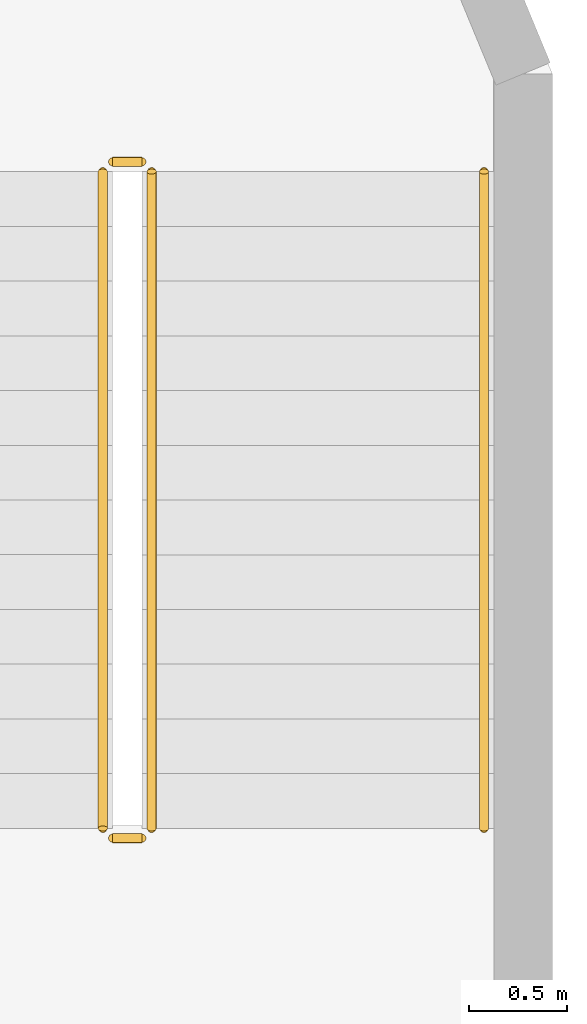
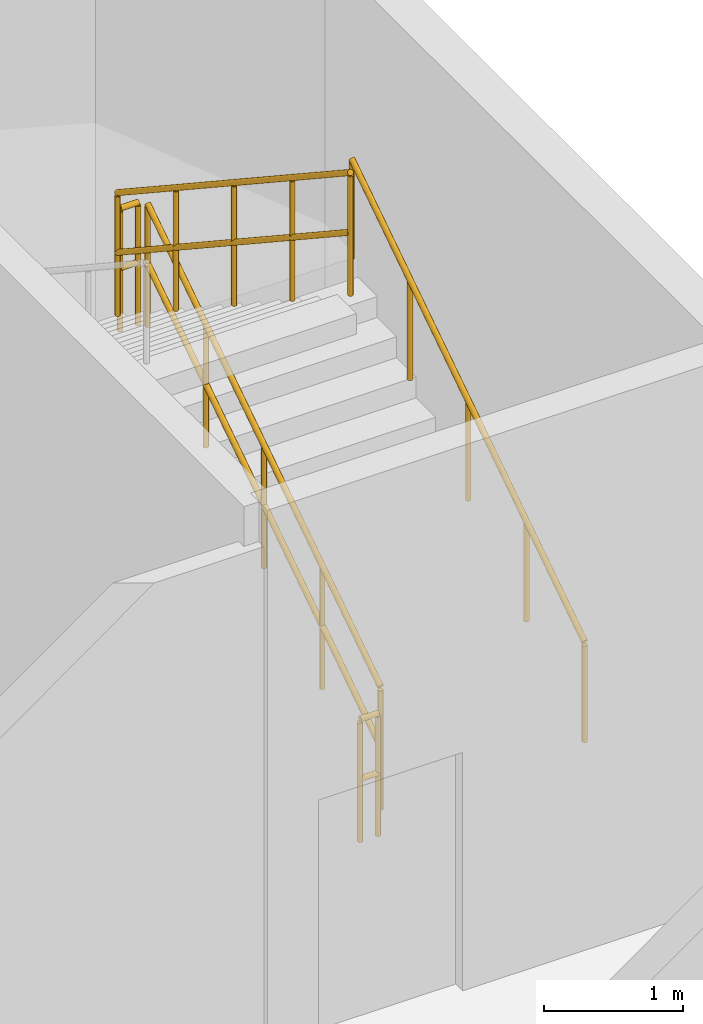
# One storey, part 45 of 45: 5 railings.
"""IFC4 building model written with IfcOpenShell, lengths in metres."""

import ifcopenshell
import ifcopenshell.guid

model = None  # the IFC model being written
_history = None  # IfcOwnerHistory: only IFC2X3 demands one
_inside = {}  # id of a spatial element -> (the spatial element, [elements in it])
_under = {}  # id of a project, library or spatial element -> (it, [spatial elements below it])
_declared = {}  # id of a project -> (the project, [libraries it declares])
_typed = {}  # id of a type object -> (the type object, [elements of that type])
_made_of = {}  # id of a material, layer set ... -> (it, [elements and type objects made of it])


def new_model(schema):
    """Start an empty IFC model of exactly this schema.

    Asked for "IFC4X3", IfcOpenShell would pick the latest addendum, in which some entities
    have other attributes; the version numbers below select the first issue.
    IFC2X3 requires an IfcOwnerHistory on every rooted entity: one is made here for all.
    """
    global model, _history
    if schema == "IFC4X3":
        model = ifcopenshell.file(schema_version=(4, 3, 0, 0))
    else:
        model = ifcopenshell.file(schema=schema)
    _inside.clear()
    _under.clear()
    _declared.clear()
    _typed.clear()
    _made_of.clear()
    _history = None
    if model.schema == "IFC2X3":
        org = make("IfcOrganization", Name="unknown")
        user = make(
            "IfcPersonAndOrganization",
            ThePerson=make("IfcPerson", FamilyName="unknown"),
            TheOrganization=org,
        )
        app = make(
            "IfcApplication",
            ApplicationDeveloper=org,
            Version="unknown",
            ApplicationFullName="unknown",
            ApplicationIdentifier="unknown",
        )
        _history = make(
            "IfcOwnerHistory",
            OwningUser=user,
            OwningApplication=app,
            ChangeAction="ADDED",
            CreationDate=0,
        )
    return model


def make(cls, **values):
    """One entity of the class cls with the attributes given. An attribute that is None is left unset."""
    return model.create_entity(
        cls, **{name: value for name, value in values.items() if value is not None}
    )


def rooted(cls, **values):
    """An entity with a GlobalId (a new one), such as an element, a storey or a relation."""
    return make(cls, GlobalId=ifcopenshell.guid.new(), OwnerHistory=_history, **values)


def si_unit(unit_type, name, prefix=None):
    """IfcSIUnit, for example si_unit("LENGTHUNIT", "METRE", prefix="MILLI")."""
    return make("IfcSIUnit", UnitType=unit_type, Prefix=prefix, Name=name)


def assignment(units):
    """IfcUnitAssignment: the units of a project."""
    return None if units is None else make("IfcUnitAssignment", Units=units)


def point(xyz):
    """IfcCartesianPoint."""
    return None if xyz is None else make("IfcCartesianPoint", Coordinates=xyz)


def direction(xyz):
    """IfcDirection."""
    return None if xyz is None else make("IfcDirection", DirectionRatios=xyz)


def frame(location, z_axis=None, x_axis=None):
    """IfcAxis2Placement3D, a coordinate frame: its origin and axes. An axis left out is left unset."""
    return make(
        "IfcAxis2Placement3D",
        Location=point(location),
        Axis=direction(z_axis),
        RefDirection=direction(x_axis),
    )


def frame_2d(location, x_axis=None):
    """IfcAxis2Placement2D, a coordinate frame in the plane: its origin and x axis."""
    return make(
        "IfcAxis2Placement2D", Location=point(location), RefDirection=direction(x_axis)
    )


def origin():
    """The frame at (0, 0, 0) with its axes left unset."""
    return frame((0.0, 0.0, 0.0))


def origin_2d():
    """The frame at (0, 0) in the plane with its x axis left unset."""
    return frame_2d((0.0, 0.0))


def place(relative_to, where):
    """IfcLocalPlacement: puts the frame where relative to a parent placement (None: the world)."""
    return make(
        "IfcLocalPlacement", PlacementRelTo=relative_to, RelativePlacement=where
    )


def context(
    kind, dimensions, precision=None, world=None, true_north=None, identifier=None
):
    """IfcGeometricRepresentationContext, for example the 3D "Model" context."""
    return make(
        "IfcGeometricRepresentationContext",
        ContextIdentifier=identifier,
        ContextType=kind,
        CoordinateSpaceDimension=dimensions,
        Precision=precision,
        WorldCoordinateSystem=world,
        TrueNorth=true_north,
    )


def subcontext(parent, identifier, kind, view, scale=None):
    """IfcGeometricRepresentationSubContext, for example "Body" below "Model"."""
    return make(
        "IfcGeometricRepresentationSubContext",
        ContextIdentifier=identifier,
        ContextType=kind,
        ParentContext=parent,
        TargetScale=scale,
        TargetView=view,
    )


def project(units=None, contexts=None):
    """IfcProject with its units and contexts."""
    return rooted(
        "IfcProject",
        Name="project",
        RepresentationContexts=contexts,
        UnitsInContext=assignment(units),
    )


def spatial(cls, under=None, at=None, **own):
    """A site, building, storey or space (cls), placed at a placement, below another one or the project."""
    s = rooted(cls, ObjectPlacement=at, **own)
    if under is not None:
        _under.setdefault(under.id(), (under, []))[1].append(s)
    return s


def profile(cls, at=None, kind="AREA", **sizes):
    """A parametric profile (cls). Its sizes go by their IFC names, for example OverallWidth=200.0."""
    return make(cls, ProfileType=kind, Position=at, **sizes)


def circle(**sizes):
    """IfcCircleProfileDef."""
    return profile("IfcCircleProfileDef", **sizes)


def extrude(swept, where, along, depth):
    """IfcExtrudedAreaSolid: the profile swept, set in the frame where, extruded along a direction by depth."""
    return make(
        "IfcExtrudedAreaSolid",
        SweptArea=swept,
        Position=where,
        ExtrudedDirection=direction(along),
        Depth=depth,
    )


def shape(context_of_items, identifier, shape_type, items):
    """IfcShapeRepresentation: the items that make up one representation, for example the "Body"."""
    return make(
        "IfcShapeRepresentation",
        ContextOfItems=context_of_items,
        RepresentationIdentifier=identifier,
        RepresentationType=shape_type,
        Items=items,
    )


def material(Name=None, Category=None):
    """IfcMaterial."""
    return make("IfcMaterial", Name=Name, Category=Category)


def made_of(thing, what):
    """Note that an element or type object is made of a material, layer set ...; save() writes the relation."""
    if what is not None:
        _made_of.setdefault(what.id(), (what, []))[1].append(thing)
    return thing


def type_object(cls, material=None, **own):
    """A type object (cls), such as IfcWallType, which elements share."""
    return made_of(rooted(cls, **own), material)


def element(
    cls,
    number,
    at=None,
    inside=None,
    cuts=None,
    type_object=None,
    material=None,
    context=None,
    identifier="Body",
    shape_type=None,
    held_by="IfcProductDefinitionShape",
    body=None,
    shapes=None,
    **own,
):
    """One element of the class cls, such as IfcWall. Its Tag is "e" and its number.

    at: its placement. inside: the storey or other place that contains it. cuts: it is an
    opening in that element (IfcRelVoidsElement). A single representation is given by context,
    identifier, shape_type and body (its items); several are given by shapes. held_by: the class
    of the entity that holds the representations. save() writes the other relations.
    """
    e = rooted(cls, Tag="e%d" % number, ObjectPlacement=at, **own)
    if body is not None:
        shapes = [shape(context, identifier, shape_type, body)]
    if shapes is not None:
        e.Representation = make(held_by, Representations=shapes)
    if inside is not None:
        _inside.setdefault(inside.id(), (inside, []))[1].append(e)
    if cuts is not None:
        rooted(
            "IfcRelVoidsElement", RelatingBuildingElement=cuts, RelatedOpeningElement=e
        )
    if type_object is not None:
        _typed.setdefault(type_object.id(), (type_object, []))[1].append(e)
    return made_of(e, material)


def aggregate(whole, parts):
    """IfcRelAggregates: a whole, such as a stair, and the parts it consists of."""
    return rooted("IfcRelAggregates", RelatingObject=whole, RelatedObjects=parts)


def save(model, path):
    """Write the relations noted so far, then the file.

    IfcRelAggregates (storeys below a building ...), IfcRelContainedInSpatialStructure (elements
    in a storey), IfcRelDefinesByType, IfcRelAssociatesMaterial and IfcRelDeclares: one each for
    every whole, place, type object, material and project.
    """
    for whole, parts in _under.values():
        aggregate(whole, parts)
    for where, things in _inside.values():
        rooted(
            "IfcRelContainedInSpatialStructure",
            RelatedElements=things,
            RelatingStructure=where,
        )
    for kind, things in _typed.values():
        rooted("IfcRelDefinesByType", RelatedObjects=things, RelatingType=kind)
    for what, things in _made_of.values():
        rooted("IfcRelAssociatesMaterial", RelatedObjects=things, RelatingMaterial=what)
    for by, libraries in _declared.values():
        rooted("IfcRelDeclares", RelatingContext=by, RelatedDefinitions=libraries)
    model.write(path)


model = new_model("IFC4")

# Units and contexts
model_context = context("Model", 3, precision=1e-05, world=origin(), true_north=direction((0.0, 1.0)))
body_context = subcontext(model_context, "Body", "Model", "MODEL_VIEW")
ifc_project = project(units=[si_unit("LENGTHUNIT", "METRE"), si_unit("AREAUNIT", "SQUARE_METRE"), si_unit("VOLUMEUNIT", "CUBIC_METRE"), si_unit("PLANEANGLEUNIT", "RADIAN"), si_unit("MASSUNIT", "GRAM", prefix="KILO")], contexts=[model_context])

# Site, building, storey
site_placement = place(None, origin())
site = spatial("IfcSite", under=ifc_project, at=site_placement, CompositionType="ELEMENT")
building_placement = place(site_placement, origin())
building = spatial("IfcBuilding", under=site, at=building_placement, Name="Nakaniwa Court", CompositionType="ELEMENT")
storey_placement = place(building_placement, frame((0.0, 0.0, 6.60009765625)))
storey = spatial("IfcBuildingStorey", under=building, at=storey_placement, Name="L01", CompositionType="ELEMENT", Elevation=6.60009765625)

# Railings
ifc_material_1 = material(Name="Black powder-coated steel flat bar balustrade S275", Category="steel")
railing_type_1 = type_object("IfcRailingType", Name="Hall guard 1100", PredefinedType="GUARDRAIL", material=ifc_material_1)
railing_1_placement = place(storey_placement, frame((215.949951171875, 97.139892578125, 0.1845703125)))
element("IfcRailing", 1, at=railing_1_placement, inside=storey, type_object=railing_type_1, Name="L01 ST-H4 stair guard 1", PredefinedType="GUARDRAIL", context=body_context, shape_type="SweptSolid", body=[
    extrude(circle(Radius=0.02392578125, at=origin_2d()), frame((0.0, 0.0, 1.076171875), z_axis=(0.0, 0.834876476806, 0.550437342915), x_axis=(-1.0, 0.0, 0.0)), (0.0, 0.0, 1.0), 4.024658203125),
    extrude(circle(Radius=0.02392578125, at=origin_2d()), frame((0.0, 0.0, 0.550048828125), z_axis=(0.0, 0.834876476806, 0.550437342915), x_axis=(-1.0, 0.0, 0.0)), (0.0, 0.0, 1.0), 4.024658203125),
    extrude(circle(Radius=0.02099609375, at=origin_2d()), origin(), (0.0, 0.0, 1.0), 1.052001953125),
    extrude(circle(Radius=0.02099609375, at=origin_2d()), frame((0.0, 0.840087890625, 0.5537109375)), (0.0, 0.0, 1.0), 1.052001953125),
    extrude(circle(Radius=0.02099609375, at=origin_2d()), frame((0.0, 1.68017578125, 1.107666015625)), (0.0, 0.0, 1.0), 1.052001953125),
    extrude(circle(Radius=0.02099609375, at=origin_2d()), frame((0.0, 2.52001953125, 1.66162109375)), (0.0, 0.0, 1.0), 1.052001953125),
    extrude(circle(Radius=0.02099609375, at=origin_2d()), frame((0.0, 3.360107421875, 2.21533203125)), (0.0, 0.0, 1.0), 1.052001953125),
])
railing_2_placement = place(storey_placement, frame((215.89990234375, 100.550048828125, 2.39990234375)))
element("IfcRailing", 2, at=railing_2_placement, inside=storey, type_object=railing_type_1, Name="L01 ST-H4 stair guard 2", PredefinedType="GUARDRAIL", context=body_context, shape_type="SweptSolid", body=[
    extrude(circle(Radius=0.02392578125, at=origin_2d()), frame((0.0, 0.0, 1.076171875), z_axis=(-1.0, 0.0, 0.0), x_axis=(0.0, -1.0, 0.0)), (0.0, 0.0, 1.0), 0.14990234375),
    extrude(circle(Radius=0.02392578125, at=origin_2d()), frame((0.0, 0.0, 0.550048828125), z_axis=(-1.0, 0.0, 0.0), x_axis=(0.0, -1.0, 0.0)), (0.0, 0.0, 1.0), 0.14990234375),
    extrude(circle(Radius=0.02099609375, at=origin_2d()), origin(), (0.0, 0.0, 1.0), 1.052001953125),
    extrude(circle(Radius=0.02099609375, at=origin_2d()), frame((-0.14990234375, 0.0, 0.0)), (0.0, 0.0, 1.0), 1.052001953125),
])
railing_3_placement = place(storey_placement, frame((215.699951171875, 100.5, 2.58447265625)))
element("IfcRailing", 3, at=railing_3_placement, inside=storey, type_object=railing_type_1, Name="L01 ST-H4 stair guard 3", PredefinedType="GUARDRAIL", context=body_context, shape_type="SweptSolid", body=[
    extrude(circle(Radius=0.02392578125, at=origin_2d()), frame((0.0, 0.0, 1.076171875), z_axis=(0.0, -0.834876476806, 0.550437342915), x_axis=(1.0, 0.0, 0.0)), (0.0, 0.0, 1.0), 4.024658203125),
    extrude(circle(Radius=0.02392578125, at=origin_2d()), frame((0.0, 0.0, 0.550048828125), z_axis=(0.0, -0.834876476806, 0.550437342915), x_axis=(1.0, 0.0, 0.0)), (0.0, 0.0, 1.0), 4.024658203125),
    extrude(circle(Radius=0.02099609375, at=origin_2d()), origin(), (0.0, 0.0, 1.0), 1.052001953125),
    extrude(circle(Radius=0.02099609375, at=origin_2d()), frame((0.0, -0.840087890625, 0.5537109375)), (0.0, 0.0, 1.0), 1.052001953125),
    extrude(circle(Radius=0.02099609375, at=origin_2d()), frame((0.0, -1.68017578125, 1.107666015625)), (0.0, 0.0, 1.0), 1.052001953125),
    extrude(circle(Radius=0.02099609375, at=origin_2d()), frame((0.0, -2.52001953125, 1.66162109375)), (0.0, 0.0, 1.0), 1.052001953125),
    extrude(circle(Radius=0.02099609375, at=origin_2d()), frame((0.0, -3.360107421875, 2.21533203125)), (0.0, 0.0, 1.0), 1.052001953125),
])
railing_4_placement = place(storey_placement, frame((215.89990234375, 97.090087890625, 0.0)))
element("IfcRailing", 4, at=railing_4_placement, inside=storey, type_object=railing_type_1, Name="L01 ST-H4 stair guard 4", PredefinedType="GUARDRAIL", context=body_context, shape_type="SweptSolid", body=[
    extrude(circle(Radius=0.02392578125, at=origin_2d()), frame((0.0, 0.0, 1.076171875), z_axis=(-1.0, 0.0, 0.0), x_axis=(0.0, -1.0, 0.0)), (0.0, 0.0, 1.0), 0.14990234375),
    extrude(circle(Radius=0.02392578125, at=origin_2d()), frame((0.0, 0.0, 0.550048828125), z_axis=(-1.0, 0.0, 0.0), x_axis=(0.0, -1.0, 0.0)), (0.0, 0.0, 1.0), 0.14990234375),
    extrude(circle(Radius=0.02099609375, at=origin_2d()), origin(), (0.0, 0.0, 1.0), 1.052001953125),
    extrude(circle(Radius=0.02099609375, at=origin_2d()), frame((-0.14990234375, 0.0, 0.0)), (0.0, 0.0, 1.0), 1.052001953125),
])
ifc_material_2 = material(Name="Brushed stainless steel handrail Grade 304", Category="steel")
railing_type_2 = type_object("IfcRailingType", Name="Hall stair handrail 900", PredefinedType="HANDRAIL", material=ifc_material_2)
railing_5_placement = place(storey_placement, frame((217.64990234375, 97.139892578125, 0.1845703125)))
element("IfcRailing", 5, at=railing_5_placement, inside=storey, type_object=railing_type_2, Name="L01 ST-H4 stair handrail 1", PredefinedType="HANDRAIL", context=body_context, shape_type="SweptSolid", body=[
    extrude(circle(Radius=0.02392578125, at=origin_2d()), frame((0.0, 0.0, 0.8759765625), z_axis=(0.0, 0.834876476806, 0.550437342915), x_axis=(-1.0, 0.0, 0.0)), (0.0, 0.0, 1.0), 4.024658203125),
    extrude(circle(Radius=0.02099609375, at=origin_2d()), origin(), (0.0, 0.0, 1.0), 0.851806640625),
    extrude(circle(Radius=0.02099609375, at=origin_2d()), frame((0.0, 0.840087890625, 0.5537109375)), (0.0, 0.0, 1.0), 0.851806640625),
    extrude(circle(Radius=0.02099609375, at=origin_2d()), frame((0.0, 1.68017578125, 1.107666015625)), (0.0, 0.0, 1.0), 0.851806640625),
    extrude(circle(Radius=0.02099609375, at=origin_2d()), frame((0.0, 2.52001953125, 1.66162109375)), (0.0, 0.0, 1.0), 0.851806640625),
    extrude(circle(Radius=0.02099609375, at=origin_2d()), frame((0.0, 3.360107421875, 2.21533203125)), (0.0, 0.0, 1.0), 0.851806640625),
])

save(model, "model.ifc")
